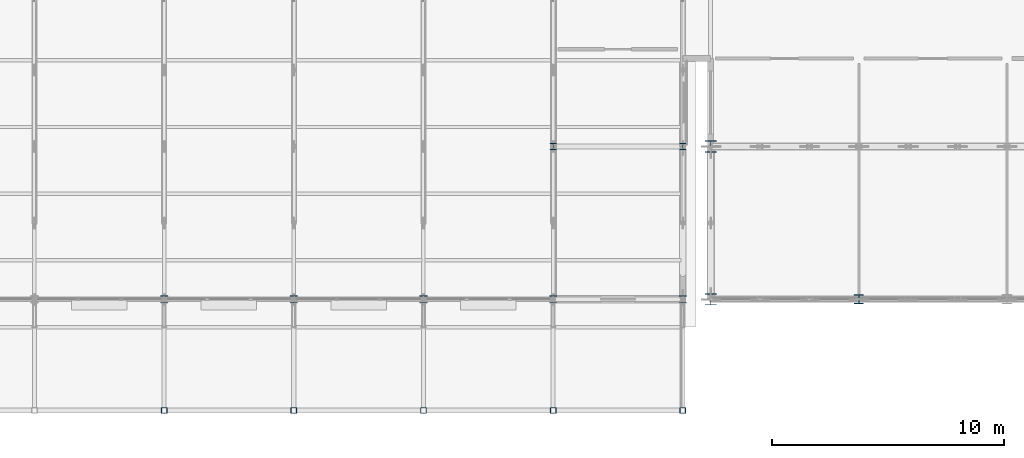
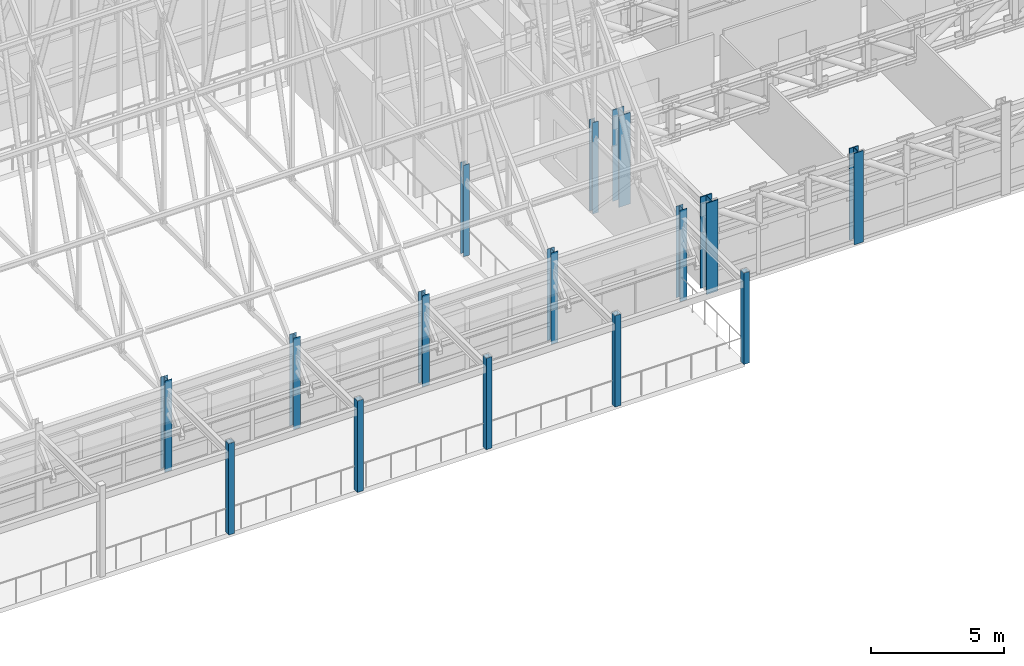
# One storey, part 3 of 144: 15 columns.
"""IFC4 building model written with IfcOpenShell, lengths in metres."""

from ifc_helpers import new_model, si_unit, direction, frame, origin, origin_2d, place, context, subcontext, project, spatial, hollow_rectangle, i_section, extrude, material, material_profile, profile_set, type_object, element, save


model = new_model("IFC4")

# Units and contexts
model_context = context("Model", 3, precision=1e-05, world=origin(), true_north=direction((0.0, 1.0)))
body_context = subcontext(model_context, "Body", "Model", "MODEL_VIEW")
ifc_project = project(units=[si_unit("LENGTHUNIT", "METRE"), si_unit("AREAUNIT", "SQUARE_METRE"), si_unit("VOLUMEUNIT", "CUBIC_METRE"), si_unit("PLANEANGLEUNIT", "RADIAN"), si_unit("MASSUNIT", "GRAM", prefix="KILO")], contexts=[model_context])

# Site, building, storey
site_placement = place(None, origin())
site = spatial("IfcSite", under=ifc_project, at=site_placement, CompositionType="ELEMENT")
building_placement = place(site_placement, origin())
building = spatial("IfcBuilding", under=site, at=building_placement, Name="Trelmorton Wharf Fire Station", CompositionType="ELEMENT")
storey_placement = place(building_placement, frame((0.0, 0.0, 5.39990234375)))
storey = spatial("IfcBuildingStorey", under=building, at=storey_placement, Name="L01", CompositionType="ELEMENT", Elevation=5.39990234375)

# Columns
ifc_material_1 = material(Name="Steel Grade 350", Category="steel")
ifc_material_profile_1 = material_profile(ifc_material_1, i_section(OverallWidth=0.256103515625, OverallDepth=0.260009765625, WebThickness=0.010498046875, FlangeThickness=0.017333984375, FilletRadius=0.0126953125, at=origin_2d()), Name="250UC89.5")
ifc_profile_set_1 = profile_set([ifc_material_profile_1], Name="Steel Grade 350")
column_type_1 = type_object("IfcColumnType", Name="COL_250UC89", PredefinedType="COLUMN", material=ifc_profile_set_1)
for number, where, z_axis, x_axis, name in (
    (1, (51.199951171875, 14.39990234375, 0.0), (0.0, 0.0, 1.0), (1.0, 0.0, 0.0), "COL-L01-0320"),
    (2, (56.800048828125, 14.39990234375, 0.0), (0.0, 0.0, 1.0), (1.0, 0.0, 0.0), "COL-L01-0326"),
):
    element("IfcColumn", number, at=place(storey_placement, frame(where, z_axis=z_axis, x_axis=x_axis)), inside=storey, type_object=column_type_1, Name=name, PredefinedType="COLUMN", context=body_context, shape_type="SweptSolid", body=[
        extrude(i_section(OverallWidth=0.256103515625, OverallDepth=0.260009765625, WebThickness=0.010498046875, FlangeThickness=0.017333984375, FilletRadius=0.0126953125, at=origin_2d()), origin(), (0.0, 0.0, 1.0), 4.2001953125),
    ])
ifc_material_profile_2 = material_profile(ifc_material_1, i_section(OverallWidth=0.306884765625, OverallDepth=0.31494140625, WebThickness=0.011962890625, FlangeThickness=0.018798828125, FilletRadius=0.0166015625, at=origin_2d()), Name="310UC118")
ifc_profile_set_2 = profile_set([ifc_material_profile_2], Name="Steel Grade 350")
column_type_2 = type_object("IfcColumnType", Name="COL_310UC118", PredefinedType="COLUMN", material=ifc_profile_set_2)
for number, where, z_axis, x_axis, name in (
    (3, (34.39990234375, 7.800048828125, 0.0), (0.0, 0.0, 1.0), (1.0, 0.0, 0.0), "COL-L01-0299"),
    (4, (40.0, 7.800048828125, 0.0), (0.0, 0.0, 1.0), (1.0, 0.0, 0.0), "COL-L01-0307"),
    (5, (45.60009765625, 7.800048828125, 0.0), (0.0, 0.0, 1.0), (1.0, 0.0, 0.0), "COL-L01-0315"),
    (6, (51.199951171875, 7.800048828125, 0.0), (0.0, 0.0, 1.0), (1.0, 0.0, 0.0), "COL-L01-0319"),
    (7, (56.800048828125, 7.800048828125, 0.0), (0.0, 0.0, 1.0), (1.0, 0.0, 0.0), "COL-L01-0325"),
):
    element("IfcColumn", number, at=place(storey_placement, frame(where, z_axis=z_axis, x_axis=x_axis)), inside=storey, type_object=column_type_2, Name=name, PredefinedType="COLUMN", context=body_context, shape_type="SweptSolid", body=[
        extrude(i_section(OverallWidth=0.306884765625, OverallDepth=0.31494140625, WebThickness=0.011962890625, FlangeThickness=0.018798828125, FilletRadius=0.0166015625, at=origin_2d()), origin(), (0.0, 0.0, 1.0), 4.2001953125),
    ])
ifc_material_profile_3 = material_profile(ifc_material_1, i_section(OverallWidth=0.39990234375, OverallDepth=0.39990234375, WebThickness=0.02001953125, FlangeThickness=0.031982421875, at=origin_2d()), Name="400WC270")
ifc_profile_set_3 = profile_set([ifc_material_profile_3], Name="Steel Grade 350")
column_type_3 = type_object("IfcColumnType", Name="COL_400WC270", PredefinedType="COLUMN", material=ifc_profile_set_3)
column_placement = place(storey_placement, frame((64.39990234375, 7.800048828125, 0.0), z_axis=(0.0, 0.0, 1.0), x_axis=(1.0, 0.0, 0.0)))
element("IfcColumn", 8, at=column_placement, inside=storey, type_object=column_type_3, Name="COL-L01-0334", PredefinedType="COLUMN", context=body_context, shape_type="SweptSolid", body=[
    extrude(i_section(OverallWidth=0.39990234375, OverallDepth=0.39990234375, WebThickness=0.02001953125, FlangeThickness=0.031982421875, at=origin_2d()), origin(), (0.0, 0.0, 1.0), 4.2001953125),
])
ifc_material_profile_4 = material_profile(ifc_material_1, i_section(OverallWidth=0.5, OverallDepth=0.5, WebThickness=0.02001953125, FlangeThickness=0.035888671875, at=origin_2d()), Name="500WC340")
ifc_profile_set_4 = profile_set([ifc_material_profile_4], Name="Steel Grade 350")
column_type_4 = type_object("IfcColumnType", Name="COL_500WC340", PredefinedType="COLUMN", material=ifc_profile_set_4)
for number, where, z_axis, x_axis, name in (
    (9, (58.0, 7.800048828125, 0.0), (0.0, 0.0, 1.0), (1.0, 0.0, 0.0), "COL-L01-0330"),
    (10, (58.0, 14.39990234375, 0.0), (0.0, 0.0, 1.0), (1.0, 0.0, 0.0), "COL-L01-0331"),
):
    element("IfcColumn", number, at=place(storey_placement, frame(where, z_axis=z_axis, x_axis=x_axis)), inside=storey, type_object=column_type_4, Name=name, PredefinedType="COLUMN", context=body_context, shape_type="SweptSolid", body=[
        extrude(i_section(OverallWidth=0.5, OverallDepth=0.5, WebThickness=0.02001953125, FlangeThickness=0.035888671875, at=origin_2d()), origin(), (0.0, 0.0, 1.0), 4.2001953125),
    ])
ifc_material_2 = material(Name="Signal-red architectural steel Grade 350", Category="steel")
ifc_material_profile_5 = material_profile(ifc_material_2, hollow_rectangle(XDim=0.25, YDim=0.25, WallThickness=0.012451171875, at=origin_2d()), Name="250x250x12.5SHS")
ifc_profile_set_5 = profile_set([ifc_material_profile_5], Name="Signal-red architectural steel Grade 350")
column_type_5 = type_object("IfcColumnType", Name="COL_RED_250SHS", PredefinedType="COLUMN", material=ifc_profile_set_5)
for number, where, z_axis, x_axis, name in (
    (11, (34.39990234375, 3.0, 0.0), (0.0, 0.0, 1.0), (1.0, 0.0, 0.0), "COL-L01-0298"),
    (12, (40.0, 3.0, 0.0), (0.0, 0.0, 1.0), (1.0, 0.0, 0.0), "COL-L01-0306"),
    (13, (45.60009765625, 3.0, 0.0), (0.0, 0.0, 1.0), (1.0, 0.0, 0.0), "COL-L01-0314"),
    (14, (51.199951171875, 3.0, 0.0), (0.0, 0.0, 1.0), (1.0, 0.0, 0.0), "COL-L01-0318"),
    (15, (56.800048828125, 3.0, 0.0), (0.0, 0.0, 1.0), (1.0, 0.0, 0.0), "COL-L01-0324"),
):
    element("IfcColumn", number, at=place(storey_placement, frame(where, z_axis=z_axis, x_axis=x_axis)), inside=storey, type_object=column_type_5, Name=name, PredefinedType="COLUMN", context=body_context, shape_type="SweptSolid", body=[
        extrude(hollow_rectangle(XDim=0.25, YDim=0.25, WallThickness=0.012451171875, at=origin_2d()), origin(), (0.0, 0.0, 1.0), 4.2001953125),
    ])

save(model, "model.ifc")
